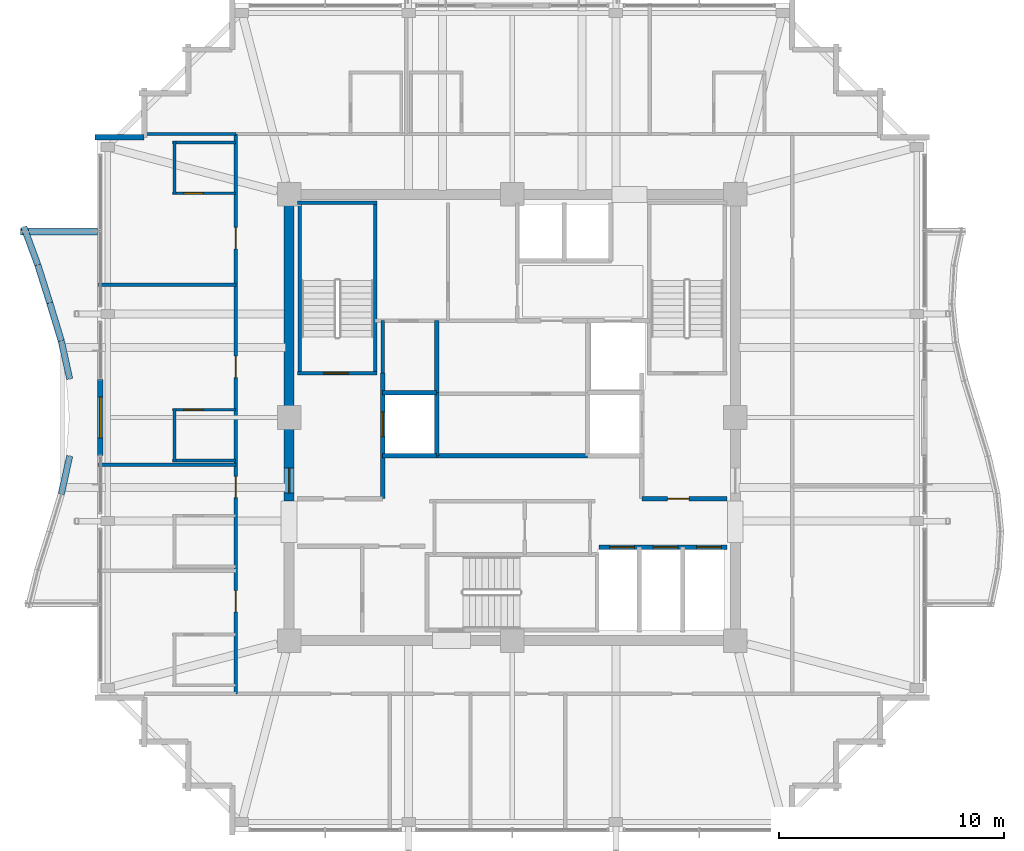
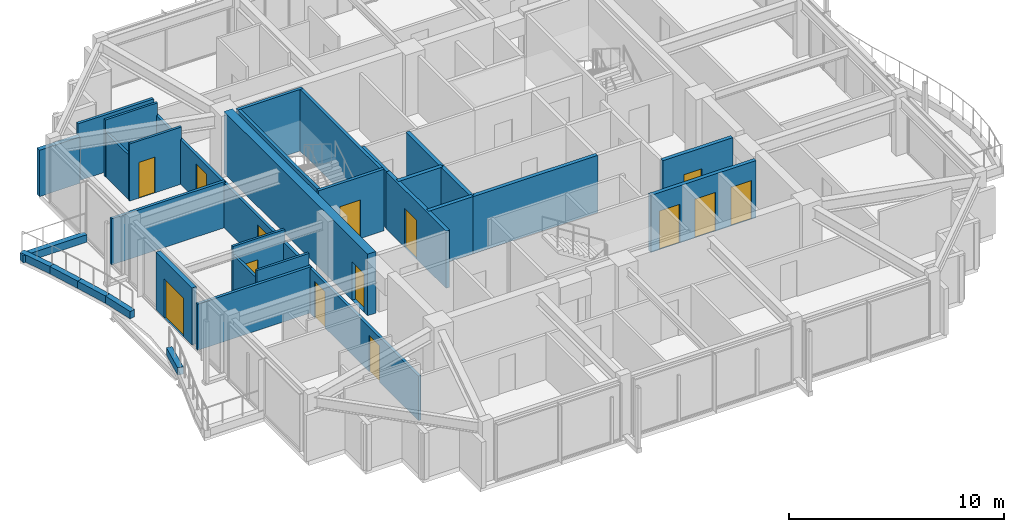
# One storey, part 27 of 31: 32 walls, 14 doors, 14 openings.
"""IFC4 building model written with IfcOpenShell, lengths in metres."""

from ifc_helpers import new_model, si_unit, direction, frame, frame_2d, origin, place, context, subcontext, project, spatial, rectangle, extrude, material, layer, layer_set, type_object, element, fill, save


model = new_model("IFC4")

# Units and contexts
model_context = context("Model", 3, precision=1e-05, world=origin(), true_north=direction((0.0, 1.0)))
body_context = subcontext(model_context, "Body", "Model", "MODEL_VIEW")
ifc_project = project(units=[si_unit("LENGTHUNIT", "METRE"), si_unit("AREAUNIT", "SQUARE_METRE"), si_unit("VOLUMEUNIT", "CUBIC_METRE"), si_unit("PLANEANGLEUNIT", "RADIAN"), si_unit("MASSUNIT", "GRAM", prefix="KILO")], contexts=[model_context])

# Site, building, storey
site_placement = place(None, origin())
site = spatial("IfcSite", under=ifc_project, at=site_placement, CompositionType="ELEMENT")
building_placement = place(site_placement, origin())
building = spatial("IfcBuilding", under=site, at=building_placement, Name="Kolvaren Belvedere", CompositionType="ELEMENT")
storey_placement = place(building_placement, frame((0.0, 0.0, 251.39990234375)))
storey = spatial("IfcBuildingStorey", under=building, at=storey_placement, Name="L73", CompositionType="ELEMENT", Elevation=251.39990234375)

# Wall, opening, door
ifc_material_1 = material(Name="Concrete C50/60", Category="concrete")
ifc_layer_1 = layer(ifc_material_1, 0.449951171875)
ifc_layer_set_1 = layer_set([ifc_layer_1], Name="Concrete C50/60")
wall_type_1 = type_object("IfcWallType", Name="CW-CORE-450", PredefinedType="SHEAR", material=ifc_layer_set_1)
wall_1_placement = place(storey_placement, frame((-9.89990234375, -3.699951171875, 0.0), z_axis=(0.0, 0.0, 1.0), x_axis=(0.0, 1.0, 0.0)))
wall_1 = element("IfcWall", 1, at=wall_1_placement, inside=storey, type_object=wall_type_1, Name="L73 West Core Shear Wall 2", PredefinedType="SHEAR", context=body_context, shape_type="SweptSolid", body=[
    extrude(rectangle(XDim=13.375, YDim=0.449951171875, at=frame_2d((6.6875, 0.0))), origin(), (0.0, 0.0, 1.0), 3.5),
])
opening_1_placement = place(wall_1_placement, frame((0.35009765625, 0.0, 0.0)))
opening_1 = element("IfcOpeningElement", 2, at=opening_1_placement, cuts=wall_1, Name="Opening D-FD90", PredefinedType="OPENING", context=body_context, shape_type="SweptSolid", body=[
    extrude(rectangle(XDim=1.10009765625, YDim=2.199951171875, at=frame_2d((0.550048828125, 1.10009765625))), frame((0.0, 0.23486328125, 0.0), z_axis=(0.0, -1.0, 0.0), x_axis=(1.0, 0.0, 0.0)), (0.0, 0.0, 1.0), 0.469970703125),
])
ifc_material_2 = material(Name="Painted hollow stainless steel", Category="steel")
door_type_1 = type_object("IfcDoorType", Name="DR-FD90-1100", OperationType="NOTDEFINED", PredefinedType="DOOR", material=ifc_material_2)
door_1_placement = place(opening_1_placement, origin())
door_1 = element("IfcDoor", 3, at=door_1_placement, inside=storey, type_object=door_type_1, Name="L73 West Firefighting Lobby Fire Door", OperationType="SINGLE_SWING_LEFT", OverallHeight=2.199951171875, OverallWidth=1.10009765625, PredefinedType="DOOR", context=body_context, shape_type="SweptSolid", body=[
    extrude(rectangle(XDim=1.10009765625, YDim=2.199951171875, at=frame_2d((0.550048828125, 1.10009765625))), frame((0.0, 0.02490234375, 0.0), z_axis=(0.0, -1.0, 0.0), x_axis=(1.0, 0.0, 0.0)), (0.0, 0.0, 1.0), 0.050048828125),
])
fill(opening_1, door_1)

ifc_material_3 = material(Name="Concrete C50/60", Category="concrete")
ifc_layer_2 = layer(ifc_material_3, 0.159912109375)
ifc_layer_set_2 = layer_set([ifc_layer_2], Name="Concrete C50/60")
wall_type_2 = type_object("IfcWallType", Name="CW-STAIR-160", PredefinedType="SHEAR", material=ifc_layer_set_2)
wall_2_placement = place(storey_placement, frame((-9.52001953125, 1.969970703125, 0.0), z_axis=(0.0, 0.0, 1.0), x_axis=(1.0, 0.0, 0.0)))
wall_2 = element("IfcWall", 4, at=wall_2_placement, inside=storey, type_object=wall_type_2, Name="L73 Stair ST-1 South Shear Wall", PredefinedType="SHEAR", context=body_context, shape_type="SweptSolid", body=[
    extrude(rectangle(XDim=3.52001953125, YDim=0.159912109375, at=frame_2d((1.760009765625, 0.0))), origin(), (0.0, 0.0, 1.0), 3.5),
])
opening_2_placement = place(wall_2_placement, frame((1.14990234375, 0.0, 0.0)))
opening_2 = element("IfcOpeningElement", 5, at=opening_2_placement, cuts=wall_2, Name="Opening D-FD90", PredefinedType="OPENING", context=body_context, shape_type="SweptSolid", body=[
    extrude(rectangle(XDim=1.10009765625, YDim=2.199951171875, at=frame_2d((0.550048828125, 1.10009765625))), frame((0.0, 0.08984375, 0.0), z_axis=(0.0, -1.0, 0.0), x_axis=(1.0, 0.0, 0.0)), (0.0, 0.0, 1.0), 0.179931640625),
])
door_2_placement = place(opening_2_placement, origin())
door_2 = element("IfcDoor", 6, at=door_2_placement, inside=storey, type_object=door_type_1, Name="L73 Stair ST-1 Fire Door", OperationType="SINGLE_SWING_LEFT", OverallHeight=2.199951171875, OverallWidth=1.10009765625, PredefinedType="DOOR", context=body_context, shape_type="SweptSolid", body=[
    extrude(rectangle(XDim=1.10009765625, YDim=2.199951171875, at=frame_2d((0.550048828125, 1.10009765625))), frame((0.0, 0.02490234375, 0.0), z_axis=(0.0, -1.0, 0.0), x_axis=(1.0, 0.0, 0.0)), (0.0, 0.0, 1.0), 0.050048828125),
])
fill(opening_2, door_2)

# Walls
wall_3_placement = place(storey_placement, frame((-9.52001953125, 9.530029296875, 0.0), z_axis=(0.0, 0.0, 1.0), x_axis=(1.0, 0.0, 0.0)))
element("IfcWall", 7, at=wall_3_placement, inside=storey, type_object=wall_type_2, Name="L73 Stair ST-1 North Shear Wall", PredefinedType="SHEAR", context=body_context, shape_type="SweptSolid", body=[
    extrude(rectangle(XDim=3.52001953125, YDim=0.159912109375, at=frame_2d((1.760009765625, 0.0))), origin(), (0.0, 0.0, 1.0), 3.5),
])
for number, where, z_axis, x_axis, name in (
    (8, (-9.429931640625, 1.969970703125, 0.0), (0.0, 0.0, 1.0), (0.0, 1.0, 0.0), "L73 Stair ST-1 West Shear Wall"),
    (9, (-6.080078125, 1.969970703125, 0.0), (0.0, 0.0, 1.0), (0.0, 1.0, 0.0), "L73 Stair ST-1 East Shear Wall"),
):
    element("IfcWall", number, at=place(storey_placement, frame(where, z_axis=z_axis, x_axis=x_axis)), inside=storey, type_object=wall_type_2, Name=name, PredefinedType="SHEAR", context=body_context, shape_type="SweptSolid", body=[
        extrude(rectangle(XDim=7.56005859375, YDim=0.159912109375, at=frame_2d((3.780029296875, 0.0))), origin(), (0.0, 0.0, 1.0), 3.5),
    ])

# Wall, openings, doors
ifc_material_4 = material(Name="Gypsum fire-rated partition assembly", Category="gypsum")
ifc_layer_3 = layer(ifc_material_4, 0.14990234375)
ifc_layer_set_3 = layer_set([ifc_layer_3], Name="Gypsum fire-rated partition assembly")
wall_type_3 = type_object("IfcWallType", Name="WL-CORR-150", PredefinedType="PARTITIONING", material=ifc_layer_set_3)
wall_4_placement = place(storey_placement, frame((-12.260009765625, -12.260009765625, 0.0), z_axis=(0.0, 0.0, 1.0), x_axis=(0.0, 1.0, 0.0)))
wall_4 = element("IfcWall", 10, at=wall_4_placement, inside=storey, type_object=wall_type_3, Name="L73 West Corridor Wall", PredefinedType="PARTITIONING", context=body_context, shape_type="SweptSolid", body=[
    extrude(rectangle(XDim=24.840087890625, YDim=0.14990234375, at=frame_2d((12.419921875, 0.0))), origin(), (0.0, 0.0, 1.0), 2.5390625),
])
opening_3_placement = place(wall_4_placement, frame((3.63134765625, 0.0, 0.0)))
opening_3 = element("IfcOpeningElement", 11, at=opening_3_placement, cuts=wall_4, Name="Opening D-FD60", PredefinedType="OPENING", context=body_context, shape_type="SweptSolid", body=[
    extrude(rectangle(XDim=0.949951171875, YDim=2.06005859375, at=frame_2d((0.47509765625, 1.030029296875))), frame((0.0, 0.0849609375, 0.0), z_axis=(0.0, -1.0, 0.0), x_axis=(1.0, 0.0, 0.0)), (0.0, 0.0, 1.0), 0.169921875),
])
opening_4_placement = place(wall_4_placement, frame((8.70068359375, 0.0, 0.0)))
opening_4 = element("IfcOpeningElement", 12, at=opening_4_placement, cuts=wall_4, Name="Opening D-FD60", PredefinedType="OPENING", context=body_context, shape_type="SweptSolid", body=[
    extrude(rectangle(XDim=0.949951171875, YDim=2.06005859375, at=frame_2d((0.47509765625, 1.030029296875))), frame((0.0, 0.0849609375, 0.0), z_axis=(0.0, -1.0, 0.0), x_axis=(1.0, 0.0, 0.0)), (0.0, 0.0, 1.0), 0.169921875),
])
opening_5_placement = place(wall_4_placement, frame((14.030517578125, 0.0, 0.0)))
opening_5 = element("IfcOpeningElement", 13, at=opening_5_placement, cuts=wall_4, Name="Opening D-FD60", PredefinedType="OPENING", context=body_context, shape_type="SweptSolid", body=[
    extrude(rectangle(XDim=0.949951171875, YDim=2.06005859375, at=frame_2d((0.47509765625, 1.030029296875))), frame((0.0, 0.0849609375, 0.0), z_axis=(0.0, -1.0, 0.0), x_axis=(1.0, 0.0, 0.0)), (0.0, 0.0, 1.0), 0.169921875),
])
opening_6_placement = place(wall_4_placement, frame((19.7412109375, 0.0, 0.0)))
opening_6 = element("IfcOpeningElement", 14, at=opening_6_placement, cuts=wall_4, Name="Opening D-FD60", PredefinedType="OPENING", context=body_context, shape_type="SweptSolid", body=[
    extrude(rectangle(XDim=0.949951171875, YDim=2.06005859375, at=frame_2d((0.47509765625, 1.030029296875))), frame((0.0, 0.0849609375, 0.0), z_axis=(0.0, -1.0, 0.0), x_axis=(1.0, 0.0, 0.0)), (0.0, 0.0, 1.0), 0.169921875),
])
ifc_material_5 = material(Name="Acoustic white-oak fire door leaf", Category="timber")
door_type_2 = type_object("IfcDoorType", Name="DR-FD60-950", OperationType="NOTDEFINED", PredefinedType="DOOR", material=ifc_material_5)
door_3_placement = place(opening_3_placement, origin())
door_3 = element("IfcDoor", 15, at=door_3_placement, inside=storey, type_object=door_type_2, Name="L73 King Guest Room 7305 Entry Door", OperationType="SINGLE_SWING_RIGHT", OverallHeight=2.06005859375, OverallWidth=0.949951171875, PredefinedType="DOOR", context=body_context, shape_type="SweptSolid", body=[
    extrude(rectangle(XDim=0.949951171875, YDim=2.06005859375, at=frame_2d((0.47509765625, 1.030029296875))), frame((0.0, 0.02490234375, 0.0), z_axis=(0.0, -1.0, 0.0), x_axis=(1.0, 0.0, 0.0)), (0.0, 0.0, 1.0), 0.050048828125),
])
fill(opening_3, door_3)
door_4_placement = place(opening_4_placement, origin())
door_4 = element("IfcDoor", 16, at=door_4_placement, inside=storey, type_object=door_type_2, Name="L73 Botanical Hospitality Suite 7306 Entry Door", OperationType="SINGLE_SWING_RIGHT", OverallHeight=2.06005859375, OverallWidth=0.949951171875, PredefinedType="DOOR", context=body_context, shape_type="SweptSolid", body=[
    extrude(rectangle(XDim=0.949951171875, YDim=2.06005859375, at=frame_2d((0.47509765625, 1.030029296875))), frame((0.0, 0.02490234375, 0.0), z_axis=(0.0, -1.0, 0.0), x_axis=(1.0, 0.0, 0.0)), (0.0, 0.0, 1.0), 0.050048828125),
])
fill(opening_4, door_4)
door_5_placement = place(opening_5_placement, origin())
door_5 = element("IfcDoor", 17, at=door_5_placement, inside=storey, type_object=door_type_2, Name="L73 King Guest Room 7307 Entry Door", OperationType="SINGLE_SWING_RIGHT", OverallHeight=2.06005859375, OverallWidth=0.949951171875, PredefinedType="DOOR", context=body_context, shape_type="SweptSolid", body=[
    extrude(rectangle(XDim=0.949951171875, YDim=2.06005859375, at=frame_2d((0.47509765625, 1.030029296875))), frame((0.0, 0.02490234375, 0.0), z_axis=(0.0, -1.0, 0.0), x_axis=(1.0, 0.0, 0.0)), (0.0, 0.0, 1.0), 0.050048828125),
])
fill(opening_5, door_5)
door_6_placement = place(opening_6_placement, origin())
door_6 = element("IfcDoor", 18, at=door_6_placement, inside=storey, type_object=door_type_2, Name="L73 King Guest Room 7308 Entry Door", OperationType="SINGLE_SWING_RIGHT", OverallHeight=2.06005859375, OverallWidth=0.949951171875, PredefinedType="DOOR", context=body_context, shape_type="SweptSolid", body=[
    extrude(rectangle(XDim=0.949951171875, YDim=2.06005859375, at=frame_2d((0.47509765625, 1.030029296875))), frame((0.0, 0.02490234375, 0.0), z_axis=(0.0, -1.0, 0.0), x_axis=(1.0, 0.0, 0.0)), (0.0, 0.0, 1.0), 0.050048828125),
])
fill(opening_6, door_6)

# Wall
ifc_material_6 = material(Name="Insulated pale-metal facade wall assembly", Category="aluminium")
ifc_layer_4 = layer(ifc_material_6, 0.239990234375)
ifc_layer_set_4 = layer_set([ifc_layer_4], Name="Insulated pale-metal facade wall assembly")
wall_type_4 = type_object("IfcWallType", Name="WL-EXT-240", PredefinedType="STANDARD", material=ifc_layer_set_4)
wall_5_placement = place(storey_placement, frame((-18.52001953125, 12.429931640625, 0.0), z_axis=(0.0, 0.0, 1.0), x_axis=(1.0, 0.0, 0.0)))
element("IfcWall", 19, at=wall_5_placement, inside=storey, type_object=wall_type_4, Name="L73 Serrated Corner Facade Wall 21", PredefinedType="STANDARD", context=body_context, shape_type="SweptSolid", body=[
    extrude(rectangle(XDim=2.18994140625, YDim=0.239990234375, at=frame_2d((1.094970703125, 0.0))), origin(), (0.0, 0.0, 1.0), 2.633056640625),
])

# Wall, opening, door
wall_6_placement = place(storey_placement, frame((-18.280029296875, -1.679931640625, 0.0), z_axis=(0.0, 0.0, 1.0), x_axis=(0.0, 1.0, 0.0)))
wall_6 = element("IfcWall", 20, at=wall_6_placement, inside=storey, type_object=wall_type_4, Name="L73 West Terrace Portal Wall", PredefinedType="STANDARD", context=body_context, shape_type="SweptSolid", body=[
    extrude(rectangle(XDim=3.35986328125, YDim=0.239990234375, at=frame_2d((1.679931640625, 0.0))), origin(), (0.0, 0.0, 1.0), 3.25),
])
opening_7_placement = place(wall_6_placement, frame((0.780029296875, 0.0, 0.0)))
opening_7 = element("IfcOpeningElement", 21, at=opening_7_placement, cuts=wall_6, Name="Opening DB-1800", PredefinedType="OPENING", context=body_context, shape_type="SweptSolid", body=[
    extrude(rectangle(XDim=1.800048828125, YDim=2.199951171875, at=frame_2d((0.89990234375, 1.10009765625))), frame((0.0, 0.1298828125, 0.0), z_axis=(0.0, -1.0, 0.0), x_axis=(1.0, 0.0, 0.0)), (0.0, 0.0, 1.0), 0.260009765625),
])
ifc_material_7 = material(Name="Thermally broken pale-metal aluminium & low-iron glass", Category="aluminium")
door_type_3 = type_object("IfcDoorType", Name="DR-BAL-1800", OperationType="DOUBLE_DOOR_SLIDING", PredefinedType="DOOR", material=ifc_material_7)
door_7_placement = place(opening_7_placement, origin())
door_7 = element("IfcDoor", 22, at=door_7_placement, inside=storey, type_object=door_type_3, Name="L73 West Planted Terrace Sliding Door", OperationType="DOUBLE_DOOR_SLIDING", OverallHeight=2.199951171875, OverallWidth=1.800048828125, PredefinedType="DOOR", context=body_context, shape_type="SweptSolid", body=[
    extrude(rectangle(XDim=1.800048828125, YDim=2.199951171875, at=frame_2d((0.89990234375, 1.10009765625))), frame((0.0, 0.02490234375, 0.0), z_axis=(0.0, -1.0, 0.0), x_axis=(1.0, 0.0, 0.0)), (0.0, 0.0, 1.0), 0.050048828125),
])
fill(opening_7, door_7)

# Walls
ifc_material_8 = material(Name="Gypsum acoustic partition assembly", Category="gypsum")
ifc_layer_5 = layer(ifc_material_8, 0.14990234375)
ifc_layer_set_5 = layer_set([ifc_layer_5], Name="Gypsum acoustic partition assembly")
wall_type_5 = type_object("IfcWallType", Name="WL-PART-150", PredefinedType="PARTITIONING", material=ifc_layer_set_5)
wall_7_placement = place(storey_placement, frame((-5.75, 1.969970703125, 0.0), z_axis=(0.0, 0.0, 1.0), x_axis=(0.0, 1.0, 0.0)))
element("IfcWall", 23, at=wall_7_placement, inside=storey, type_object=wall_type_5, Name="L73 NW Service Room West Wall", PredefinedType="PARTITIONING", context=body_context, shape_type="SweptSolid", body=[
    extrude(rectangle(XDim=2.330078125, YDim=0.14990234375, at=frame_2d((1.1650390625, 0.0))), origin(), (0.0, 0.0, 1.0), 3.25),
])
wall_8_placement = place(storey_placement, frame((-16.320068359375, 12.580078125, 0.0), z_axis=(0.0, 0.0, 1.0), x_axis=(1.0, 0.0, 0.0)))
element("IfcWall", 24, at=wall_8_placement, inside=storey, type_object=wall_type_5, Name="L73 Wing Divider PW-L73-QNW", PredefinedType="PARTITIONING", context=body_context, shape_type="SweptSolid", body=[
    extrude(rectangle(XDim=4.06005859375, YDim=0.14990234375, at=frame_2d((2.030029296875, 0.0))), origin(), (0.0, 0.0, 1.0), 3.25),
])
for number, where, z_axis, x_axis, name in (
    (25, (-18.3798828125, -2.10400390625, 0.0), (0.0, 0.0, 1.0), (1.0, 0.0, 0.0), "L73 West Suite Demising Wall 2"),
    (26, (-18.3798828125, 5.89599609375, 0.0), (0.0, 0.0, 1.0), (1.0, 0.0, 0.0), "L73 West Suite Demising Wall 3"),
):
    element("IfcWall", number, at=place(storey_placement, frame(where, z_axis=z_axis, x_axis=x_axis)), inside=storey, type_object=wall_type_5, Name=name, PredefinedType="PARTITIONING", context=body_context, shape_type="SweptSolid", body=[
        extrude(rectangle(XDim=6.119873046875, YDim=0.14990234375, at=frame_2d((3.06005859375, 0.0))), origin(), (0.0, 0.0, 1.0), 2.623046875),
    ])
ifc_material_9 = material(Name="Precast concrete C40/50", Category="concrete")
ifc_layer_6 = layer(ifc_material_9, 0.300048828125)
ifc_layer_set_6 = layer_set([ifc_layer_6], Name="Precast concrete C40/50")
wall_type_6 = type_object("IfcWallType", Name="WL-PLANTER-300", PredefinedType="PARAPET", material=ifc_layer_set_6)
wall_9_placement = place(storey_placement, frame((-21.669921875, 8.455322265625, -0.06982421875), z_axis=(0.0, 0.0, 1.0), x_axis=(0.346292864983, -0.938126458246, 0.0)))
element("IfcWall", 27, at=wall_9_placement, inside=storey, type_object=wall_type_6, Name="L73 Precast Structural Planter Wall BAL-W-1", PredefinedType="PARAPET", context=body_context, shape_type="SweptSolid", body=[
    extrude(rectangle(XDim=1.790771484375, YDim=0.280029296875, at=frame_2d((0.8955078125, 0.0))), origin(), (0.0, 0.0, 1.0), 0.419921875),
])
wall_10_placement = place(storey_placement, frame((-21.047119140625, 6.767822265625, -0.06982421875), z_axis=(0.0, 0.0, 1.0), x_axis=(0.299624691176, -0.954057149461, 0.0)))
element("IfcWall", 28, at=wall_10_placement, inside=storey, type_object=wall_type_6, Name="L73 Precast Structural Planter Wall BAL-W-2", PredefinedType="PARAPET", context=body_context, shape_type="SweptSolid", body=[
    extrude(rectangle(XDim=1.7607421875, YDim=0.280029296875, at=frame_2d((0.88037109375, 0.0))), origin(), (0.0, 0.0, 1.0), 0.419921875),
])
wall_11_placement = place(storey_placement, frame((-20.51904296875, 5.086669921875, -0.06982421875), z_axis=(0.0, 0.0, 1.0), x_axis=(0.290840734999, -0.956771481005, 0.0)))
element("IfcWall", 29, at=wall_11_placement, inside=storey, type_object=wall_type_6, Name="L73 Precast Structural Planter Wall BAL-W-3", PredefinedType="PARAPET", context=body_context, shape_type="SweptSolid", body=[
    extrude(rectangle(XDim=1.756103515625, YDim=0.280029296875, at=frame_2d((0.8779296875, 0.0))), origin(), (0.0, 0.0, 1.0), 0.419921875),
])
for number, where, z_axis, x_axis, name in (
    (30, (-20.0048828125, 3.394287109375, -0.06982421875), (0.0, 0.0, 1.0), (0.213773077423, -0.976883345835, 0.0), "L73 Precast Structural Planter Wall BAL-W-4"),
    (31, (-19.63720703125, -1.714111328125, -0.06982421875), (0.0, 0.0, 1.0), (-0.213773077423, -0.976883345835, 0.0), "L73 Precast Structural Planter Wall BAL-W-7"),
):
    element("IfcWall", number, at=place(storey_placement, frame(where, z_axis=z_axis, x_axis=x_axis)), inside=storey, type_object=wall_type_6, Name=name, PredefinedType="PARAPET", context=body_context, shape_type="SweptSolid", body=[
        extrude(rectangle(XDim=1.719970703125, YDim=0.280029296875, at=frame_2d((0.85986328125, 0.0))), origin(), (0.0, 0.0, 1.0), 0.419921875),
    ])
wall_12_placement = place(storey_placement, frame((-18.39990234375, 8.239990234375, -0.06982421875), z_axis=(0.0, 0.0, 1.0), x_axis=(-1.0, 0.0, 0.0)))
element("IfcWall", 32, at=wall_12_placement, inside=storey, type_object=wall_type_6, Name="L73 Precast Structural Planter Wall BAL-W-22", PredefinedType="PARAPET", context=body_context, shape_type="SweptSolid", body=[
    extrude(rectangle(XDim=3.420166015625, YDim=0.280029296875, at=frame_2d((1.7099609375, 0.0))), origin(), (0.0, 0.0, 1.0), 0.419921875),
])

# Wall, opening, door
ifc_material_10 = material(Name="Concrete C50/60", Category="concrete")
ifc_layer_7 = layer(ifc_material_10, 0.199951171875)
ifc_layer_set_7 = layer_set([ifc_layer_7], Name="Concrete C50/60")
wall_type_7 = type_object("IfcWallType", Name="WL-SHAFT-200", PredefinedType="SOLIDWALL", material=ifc_layer_set_7)
wall_13_placement = place(storey_placement, frame((-5.75, -3.60009765625, 0.0), z_axis=(0.0, 0.0, 1.0), x_axis=(0.0, 1.0, 0.0)))
wall_13 = element("IfcWall", 33, at=wall_13_placement, inside=storey, type_object=wall_type_7, Name="L73 FSAE FS1 Landing Wall", PredefinedType="SOLIDWALL", context=body_context, shape_type="SweptSolid", body=[
    extrude(rectangle(XDim=5.570068359375, YDim=0.199951171875, at=frame_2d((2.78515625, 0.0))), origin(), (0.0, 0.0, 1.0), 3.25),
])
opening_8_placement = place(wall_13_placement, frame((2.75, 0.0, 0.0)))
opening_8 = element("IfcOpeningElement", 34, at=opening_8_placement, cuts=wall_13, Name="Opening LD-11", PredefinedType="OPENING", context=body_context, shape_type="SweptSolid", body=[
    extrude(rectangle(XDim=1.10009765625, YDim=2.199951171875, at=frame_2d((0.550048828125, 1.10009765625))), frame((0.0, 0.10986328125, 0.0), z_axis=(0.0, -1.0, 0.0), x_axis=(1.0, 0.0, 0.0)), (0.0, 0.0, 1.0), 0.219970703125),
])
ifc_material_11 = material(Name="Brushed stainless steel", Category="steel")
door_type_4 = type_object("IfcDoorType", Name="DR-LIFT-1100", OperationType="DOUBLE_DOOR_SLIDING", PredefinedType="DOOR", material=ifc_material_11)
door_8_placement = place(opening_8_placement, origin())
door_8 = element("IfcDoor", 35, at=door_8_placement, inside=storey, type_object=door_type_4, Name="L73 Firefighting Lift FS1 Landing Door", OperationType="DOUBLE_DOOR_SLIDING", OverallHeight=2.199951171875, OverallWidth=1.10009765625, PredefinedType="DOOR", context=body_context, shape_type="SweptSolid", body=[
    extrude(rectangle(XDim=1.10009765625, YDim=2.199951171875, at=frame_2d((0.550048828125, 1.10009765625))), frame((0.0, 0.02490234375, 0.0), z_axis=(0.0, -1.0, 0.0), x_axis=(1.0, 0.0, 0.0)), (0.0, 0.0, 1.0), 0.050048828125),
])
fill(opening_8, door_8)

# Walls
wall_14_placement = place(storey_placement, frame((-3.35009765625, -1.699951171875, 0.0), z_axis=(0.0, 0.0, 1.0), x_axis=(0.0, 1.0, 0.0)))
element("IfcWall", 36, at=wall_14_placement, inside=storey, type_object=wall_type_7, Name="L73 FSAE FS1 Back Wall", PredefinedType="SOLIDWALL", context=body_context, shape_type="SweptSolid", body=[
    extrude(rectangle(XDim=2.800048828125, YDim=0.199951171875, at=frame_2d((1.39990234375, 0.0))), origin(), (0.0, 0.0, 1.0), 3.25),
])
for number, where, z_axis, x_axis, name in (
    (37, (-5.75, -1.699951171875, 0.0), (0.0, 0.0, 1.0), (1.0, 0.0, 0.0), "L73 FSAE FS1 South Wall"),
    (38, (-5.75, 1.10009765625, 0.0), (0.0, 0.0, 1.0), (1.0, 0.0, 0.0), "L73 FSAE FS1 North Wall"),
):
    element("IfcWall", number, at=place(storey_placement, frame(where, z_axis=z_axis, x_axis=x_axis)), inside=storey, type_object=wall_type_7, Name=name, PredefinedType="SOLIDWALL", context=body_context, shape_type="SweptSolid", body=[
        extrude(rectangle(XDim=2.39990234375, YDim=0.199951171875, at=frame_2d((1.199951171875, 0.0))), origin(), (0.0, 0.0, 1.0), 3.25),
    ])

# Wall, opening, door
wall_15_placement = place(storey_placement, frame((5.75, -3.60009765625, 0.0), z_axis=(0.0, 0.0, 1.0), x_axis=(1.0, 0.0, 0.0)))
wall_15 = element("IfcWall", 39, at=wall_15_placement, inside=storey, type_object=wall_type_7, Name="L73 East FSAE Lobby South Wall", PredefinedType="SOLIDWALL", context=body_context, shape_type="SweptSolid", body=[
    extrude(rectangle(XDim=3.77001953125, YDim=0.199951171875, at=frame_2d((1.885009765625, 0.0))), origin(), (0.0, 0.0, 1.0), 3.25),
])
opening_9_placement = place(wall_15_placement, frame((1.14990234375, 0.0, 0.0)))
opening_9 = element("IfcOpeningElement", 40, at=opening_9_placement, cuts=wall_15, Name="Opening D-FD60", PredefinedType="OPENING", context=body_context, shape_type="SweptSolid", body=[
    extrude(rectangle(XDim=0.949951171875, YDim=2.06005859375, at=frame_2d((0.47509765625, 1.030029296875))), frame((0.0, 0.10986328125, 0.0), z_axis=(0.0, -1.0, 0.0), x_axis=(1.0, 0.0, 0.0)), (0.0, 0.0, 1.0), 0.219970703125),
])
door_9_placement = place(opening_9_placement, origin())
door_9 = element("IfcDoor", 41, at=door_9_placement, inside=storey, type_object=door_type_2, Name="L73 SE Lift Lobby Fire Door", OperationType="SINGLE_SWING_RIGHT", OverallHeight=2.06005859375, OverallWidth=0.949951171875, PredefinedType="DOOR", context=body_context, shape_type="SweptSolid", body=[
    extrude(rectangle(XDim=0.949951171875, YDim=2.06005859375, at=frame_2d((0.47509765625, 1.030029296875))), frame((0.0, 0.02490234375, 0.0), z_axis=(0.0, -1.0, 0.0), x_axis=(1.0, 0.0, 0.0)), (0.0, 0.0, 1.0), 0.050048828125),
])
fill(opening_9, door_9)

# Wall, openings, doors
wall_16_placement = place(storey_placement, frame((3.860107421875, -5.75, 0.0), z_axis=(0.0, 0.0, 1.0), x_axis=(1.0, 0.0, 0.0)))
wall_16 = element("IfcWall", 42, at=wall_16_placement, inside=storey, type_object=wall_type_7, Name="L73 High-Rise Lift Bank Front Wall", PredefinedType="SOLIDWALL", context=body_context, shape_type="SweptSolid", body=[
    extrude(rectangle(XDim=5.659912109375, YDim=0.199951171875, at=frame_2d((2.830078125, 0.0))), origin(), (0.0, 0.0, 1.0), 3.25),
])
opening_10_placement = place(wall_16_placement, frame((0.4599609375, 0.0, 0.0)))
opening_10 = element("IfcOpeningElement", 43, at=opening_10_placement, cuts=wall_16, Name="Opening LD-11", PredefinedType="OPENING", context=body_context, shape_type="SweptSolid", body=[
    extrude(rectangle(XDim=1.10009765625, YDim=2.199951171875, at=frame_2d((0.550048828125, 1.10009765625))), frame((0.0, 0.10986328125, 0.0), z_axis=(0.0, -1.0, 0.0), x_axis=(1.0, 0.0, 0.0)), (0.0, 0.0, 1.0), 0.219970703125),
])
opening_11_placement = place(wall_16_placement, frame((2.389892578125, 0.0, 0.0)))
opening_11 = element("IfcOpeningElement", 44, at=opening_11_placement, cuts=wall_16, Name="Opening LD-11", PredefinedType="OPENING", context=body_context, shape_type="SweptSolid", body=[
    extrude(rectangle(XDim=1.10009765625, YDim=2.199951171875, at=frame_2d((0.550048828125, 1.10009765625))), frame((0.0, 0.10986328125, 0.0), z_axis=(0.0, -1.0, 0.0), x_axis=(1.0, 0.0, 0.0)), (0.0, 0.0, 1.0), 0.219970703125),
])
opening_12_placement = place(wall_16_placement, frame((4.320068359375, 0.0, 0.0)))
opening_12 = element("IfcOpeningElement", 45, at=opening_12_placement, cuts=wall_16, Name="Opening LD-11", PredefinedType="OPENING", context=body_context, shape_type="SweptSolid", body=[
    extrude(rectangle(XDim=1.10009765625, YDim=2.199951171875, at=frame_2d((0.550048828125, 1.10009765625))), frame((0.0, 0.10986328125, 0.0), z_axis=(0.0, -1.0, 0.0), x_axis=(1.0, 0.0, 0.0)), (0.0, 0.0, 1.0), 0.219970703125),
])
door_10_placement = place(opening_10_placement, origin())
door_10 = element("IfcDoor", 46, at=door_10_placement, inside=storey, type_object=door_type_4, Name="L73 Passenger Lift P7 Landing Door", OperationType="DOUBLE_DOOR_SLIDING", OverallHeight=2.199951171875, OverallWidth=1.10009765625, PredefinedType="DOOR", context=body_context, shape_type="SweptSolid", body=[
    extrude(rectangle(XDim=1.10009765625, YDim=2.199951171875, at=frame_2d((0.550048828125, 1.10009765625))), frame((0.0, 0.02490234375, 0.0), z_axis=(0.0, -1.0, 0.0), x_axis=(1.0, 0.0, 0.0)), (0.0, 0.0, 1.0), 0.050048828125),
])
fill(opening_10, door_10)
door_11_placement = place(opening_11_placement, origin())
door_11 = element("IfcDoor", 47, at=door_11_placement, inside=storey, type_object=door_type_4, Name="L73 Passenger Lift P8 Landing Door", OperationType="DOUBLE_DOOR_SLIDING", OverallHeight=2.199951171875, OverallWidth=1.10009765625, PredefinedType="DOOR", context=body_context, shape_type="SweptSolid", body=[
    extrude(rectangle(XDim=1.10009765625, YDim=2.199951171875, at=frame_2d((0.550048828125, 1.10009765625))), frame((0.0, 0.02490234375, 0.0), z_axis=(0.0, -1.0, 0.0), x_axis=(1.0, 0.0, 0.0)), (0.0, 0.0, 1.0), 0.050048828125),
])
fill(opening_11, door_11)
door_12_placement = place(opening_12_placement, origin())
door_12 = element("IfcDoor", 48, at=door_12_placement, inside=storey, type_object=door_type_4, Name="L73 Passenger Lift P9 Landing Door", OperationType="DOUBLE_DOOR_SLIDING", OverallHeight=2.199951171875, OverallWidth=1.10009765625, PredefinedType="DOOR", context=body_context, shape_type="SweptSolid", body=[
    extrude(rectangle(XDim=1.10009765625, YDim=2.199951171875, at=frame_2d((0.550048828125, 1.10009765625))), frame((0.0, 0.02490234375, 0.0), z_axis=(0.0, -1.0, 0.0), x_axis=(1.0, 0.0, 0.0)), (0.0, 0.0, 1.0), 0.050048828125),
])
fill(opening_12, door_12)

# Walls
wall_17_placement = place(storey_placement, frame((-3.35009765625, -1.699951171875, 0.0), z_axis=(0.0, 0.0, 1.0), x_axis=(1.0, 0.0, 0.0)))
element("IfcWall", 49, at=wall_17_placement, inside=storey, type_object=wall_type_7, Name="L73 Central Core Room South Wall", PredefinedType="SOLIDWALL", context=body_context, shape_type="SweptSolid", body=[
    extrude(rectangle(XDim=6.7001953125, YDim=0.199951171875, at=frame_2d((3.35009765625, 0.0))), origin(), (0.0, 0.0, 1.0), 3.25),
])
wall_18_placement = place(storey_placement, frame((-3.35009765625, 1.10009765625, 0.0), z_axis=(0.0, 0.0, 1.0), x_axis=(0.0, 1.0, 0.0)))
element("IfcWall", 50, at=wall_18_placement, inside=storey, type_object=wall_type_7, Name="L73 Central Core Room West Wall", PredefinedType="SOLIDWALL", context=body_context, shape_type="SweptSolid", body=[
    extrude(rectangle(XDim=3.199951171875, YDim=0.199951171875, at=frame_2d((1.60009765625, 0.0))), origin(), (0.0, 0.0, 1.0), 3.25),
])

# Wall, opening, door
ifc_material_12 = material(Name="Moisture-resistant gypsum partition", Category="gypsum")
ifc_layer_8 = layer(ifc_material_12, 0.125)
ifc_layer_set_8 = layer_set([ifc_layer_8], Name="Moisture-resistant gypsum partition")
wall_type_8 = type_object("IfcWallType", Name="WL-WET-125", PredefinedType="PARTITIONING", material=ifc_layer_set_8)
wall_19_placement = place(storey_placement, frame((-15.06494140625, 0.341064453125, 0.0), z_axis=(0.0, 0.0, 1.0), x_axis=(1.0, 0.0, 0.0)))
wall_19 = element("IfcWall", 51, at=wall_19_placement, inside=storey, type_object=wall_type_8, Name="L73 Bathroom Partition PW-L73-BTH-7-N", PredefinedType="PARTITIONING", context=body_context, shape_type="SweptSolid", body=[
    extrude(rectangle(XDim=2.7900390625, YDim=0.125, at=frame_2d((1.39501953125, 0.0))), origin(), (0.0, 0.0, 1.0), 3.25),
])
opening_13_placement = place(wall_19_placement, frame((0.5, 0.0, 0.0)))
opening_13 = element("IfcOpeningElement", 52, at=opening_13_placement, cuts=wall_19, Name="Opening D-BTH85", PredefinedType="OPENING", context=body_context, shape_type="SweptSolid", body=[
    extrude(rectangle(XDim=0.85009765625, YDim=2.030029296875, at=frame_2d((0.425048828125, 1.01513671875))), frame((0.0, 0.072509765625, 0.0), z_axis=(0.0, -1.0, 0.0), x_axis=(1.0, 0.0, 0.0)), (0.0, 0.0, 1.0), 0.14501953125),
])
ifc_material_13 = material(Name="Moisture-sealed Pacific white oak", Category="timber")
door_type_5 = type_object("IfcDoorType", Name="DR-BATH-850", OperationType="NOTDEFINED", PredefinedType="DOOR", material=ifc_material_13)
door_13_placement = place(opening_13_placement, origin())
door_13 = element("IfcDoor", 53, at=door_13_placement, inside=storey, type_object=door_type_5, Name="L73 En-Suite Bathroom 7307 Door", OperationType="SINGLE_SWING_LEFT", OverallHeight=2.030029296875, OverallWidth=0.85009765625, PredefinedType="DOOR", context=body_context, shape_type="SweptSolid", body=[
    extrude(rectangle(XDim=0.85009765625, YDim=2.030029296875, at=frame_2d((0.425048828125, 1.01513671875))), frame((0.0, 0.02490234375, 0.0), z_axis=(0.0, -1.0, 0.0), x_axis=(1.0, 0.0, 0.0)), (0.0, 0.0, 1.0), 0.050048828125),
])
fill(opening_13, door_13)

# Walls
wall_20_placement = place(storey_placement, frame((-14.985107421875, -1.968994140625, 0.0), z_axis=(0.0, 0.0, 1.0), x_axis=(0.0, 1.0, 0.0)))
element("IfcWall", 54, at=wall_20_placement, inside=storey, type_object=wall_type_8, Name="L73 Bathroom Partition PW-L73-BTH-7-V", PredefinedType="PARTITIONING", context=body_context, shape_type="SweptSolid", body=[
    extrude(rectangle(XDim=2.369873046875, YDim=0.125, at=frame_2d((1.18505859375, 0.0))), origin(), (0.0, 0.0, 1.0), 2.775146484375),
])
wall_21_placement = place(storey_placement, frame((-15.06494140625, -1.908935546875, 0.0), z_axis=(0.0, 0.0, 1.0), x_axis=(1.0, 0.0, 0.0)))
element("IfcWall", 55, at=wall_21_placement, inside=storey, type_object=wall_type_8, Name="L73 Bathroom Partition PW-L73-BTH-7-S", PredefinedType="PARTITIONING", context=body_context, shape_type="SweptSolid", body=[
    extrude(rectangle(XDim=2.7900390625, YDim=0.125, at=frame_2d((1.39501953125, 0.0))), origin(), (0.0, 0.0, 1.0), 3.25),
])

# Wall, opening, door
wall_22_placement = place(storey_placement, frame((-15.06494140625, 9.950927734375, 0.0), z_axis=(0.0, 0.0, 1.0), x_axis=(1.0, 0.0, 0.0)))
wall_22 = element("IfcWall", 56, at=wall_22_placement, inside=storey, type_object=wall_type_8, Name="L73 Bathroom Partition PW-L73-BTH-8-N", PredefinedType="PARTITIONING", context=body_context, shape_type="SweptSolid", body=[
    extrude(rectangle(XDim=2.7900390625, YDim=0.125, at=frame_2d((1.39501953125, 0.0))), origin(), (0.0, 0.0, 1.0), 3.25),
])
opening_14_placement = place(wall_22_placement, frame((0.5, 0.0, 0.0)))
opening_14 = element("IfcOpeningElement", 57, at=opening_14_placement, cuts=wall_22, Name="Opening D-BTH85", PredefinedType="OPENING", context=body_context, shape_type="SweptSolid", body=[
    extrude(rectangle(XDim=0.85009765625, YDim=2.030029296875, at=frame_2d((0.425048828125, 1.01513671875))), frame((0.0, 0.072509765625, 0.0), z_axis=(0.0, -1.0, 0.0), x_axis=(1.0, 0.0, 0.0)), (0.0, 0.0, 1.0), 0.14501953125),
])
door_14_placement = place(opening_14_placement, origin())
door_14 = element("IfcDoor", 58, at=door_14_placement, inside=storey, type_object=door_type_5, Name="L73 En-Suite Bathroom 7308 Door", OperationType="SINGLE_SWING_LEFT", OverallHeight=2.030029296875, OverallWidth=0.85009765625, PredefinedType="DOOR", context=body_context, shape_type="SweptSolid", body=[
    extrude(rectangle(XDim=0.85009765625, YDim=2.030029296875, at=frame_2d((0.425048828125, 1.01513671875))), frame((0.0, 0.02490234375, 0.0), z_axis=(0.0, -1.0, 0.0), x_axis=(1.0, 0.0, 0.0)), (0.0, 0.0, 1.0), 0.050048828125),
])
fill(opening_14, door_14)

# Walls
wall_23_placement = place(storey_placement, frame((-14.985107421875, 9.89111328125, 0.0), z_axis=(0.0, 0.0, 1.0), x_axis=(0.0, 1.0, 0.0)))
element("IfcWall", 59, at=wall_23_placement, inside=storey, type_object=wall_type_8, Name="L73 Bathroom Partition PW-L73-BTH-8-V", PredefinedType="PARTITIONING", context=body_context, shape_type="SweptSolid", body=[
    extrude(rectangle(XDim=2.369873046875, YDim=0.125, at=frame_2d((1.18505859375, 0.0))), origin(), (0.0, 0.0, 1.0), 2.5390625),
])
wall_24_placement = place(storey_placement, frame((-15.06494140625, 12.200927734375, 0.0), z_axis=(0.0, 0.0, 1.0), x_axis=(1.0, 0.0, 0.0)))
element("IfcWall", 60, at=wall_24_placement, inside=storey, type_object=wall_type_8, Name="L73 Bathroom Partition PW-L73-BTH-8-S", PredefinedType="PARTITIONING", context=body_context, shape_type="SweptSolid", body=[
    extrude(rectangle(XDim=2.7900390625, YDim=0.125, at=frame_2d((1.39501953125, 0.0))), origin(), (0.0, 0.0, 1.0), 3.25),
])

save(model, "model.ifc")
